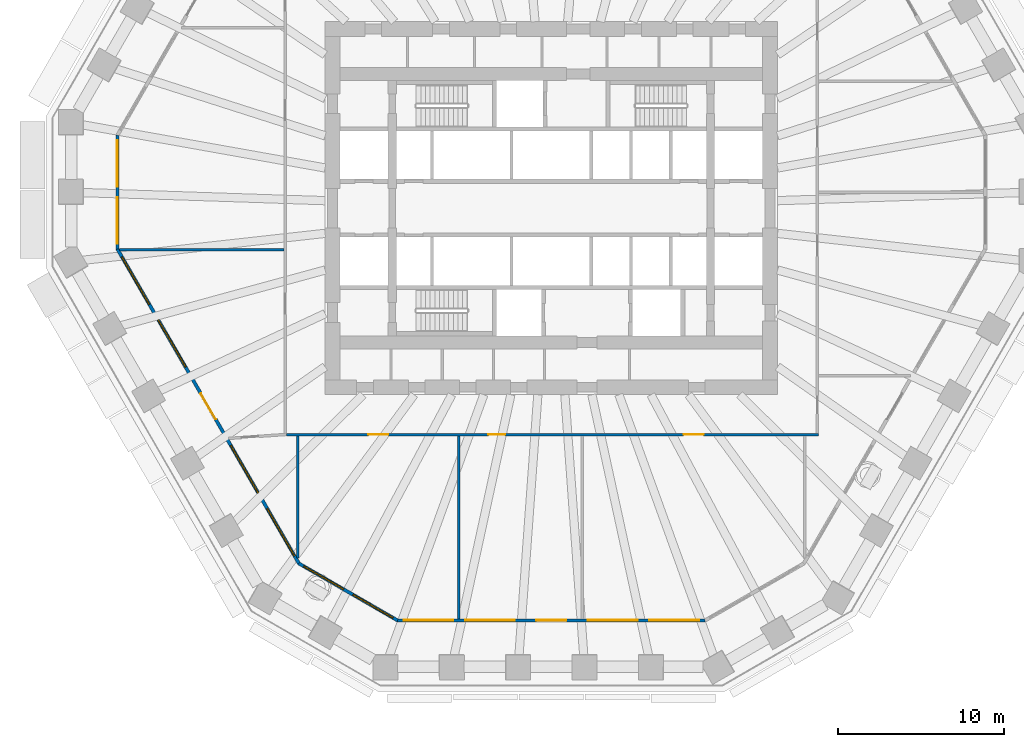
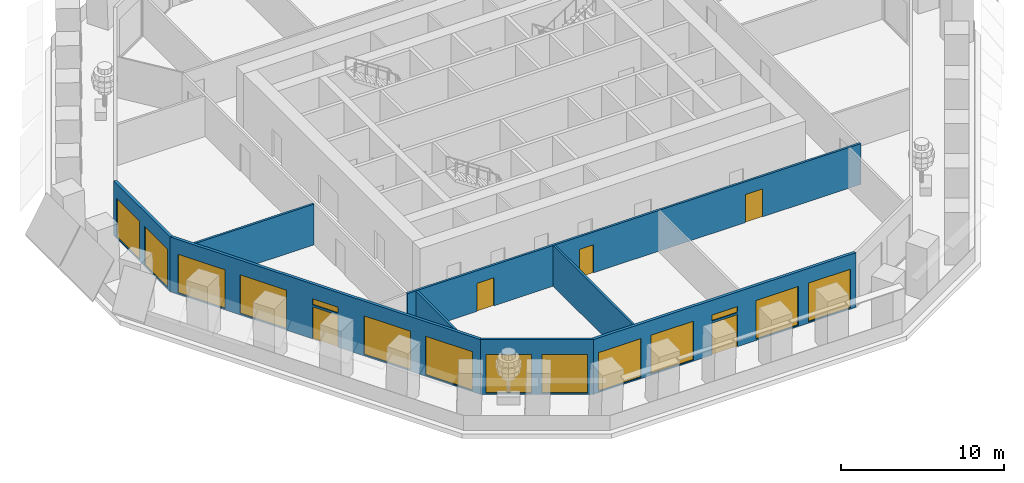
# One storey, part 3 of 12: 14 windows, 8 walls, 5 doors, 19 openings.
"""IFC4 building model written with IfcOpenShell, lengths in metres."""

import ifcopenshell
import ifcopenshell.guid

model = None  # the IFC model being written
_history = None  # IfcOwnerHistory: only IFC2X3 demands one
_inside = {}  # id of a spatial element -> (the spatial element, [elements in it])
_under = {}  # id of a project, library or spatial element -> (it, [spatial elements below it])
_declared = {}  # id of a project -> (the project, [libraries it declares])
_typed = {}  # id of a type object -> (the type object, [elements of that type])
_made_of = {}  # id of a material, layer set ... -> (it, [elements and type objects made of it])


def new_model(schema):
    """Start an empty IFC model of exactly this schema.

    Asked for "IFC4X3", IfcOpenShell would pick the latest addendum, in which some entities
    have other attributes; the version numbers below select the first issue.
    IFC2X3 requires an IfcOwnerHistory on every rooted entity: one is made here for all.
    """
    global model, _history
    if schema == "IFC4X3":
        model = ifcopenshell.file(schema_version=(4, 3, 0, 0))
    else:
        model = ifcopenshell.file(schema=schema)
    _inside.clear()
    _under.clear()
    _declared.clear()
    _typed.clear()
    _made_of.clear()
    _history = None
    if model.schema == "IFC2X3":
        org = make("IfcOrganization", Name="unknown")
        user = make(
            "IfcPersonAndOrganization",
            ThePerson=make("IfcPerson", FamilyName="unknown"),
            TheOrganization=org,
        )
        app = make(
            "IfcApplication",
            ApplicationDeveloper=org,
            Version="unknown",
            ApplicationFullName="unknown",
            ApplicationIdentifier="unknown",
        )
        _history = make(
            "IfcOwnerHistory",
            OwningUser=user,
            OwningApplication=app,
            ChangeAction="ADDED",
            CreationDate=0,
        )
    return model


def make(cls, **values):
    """One entity of the class cls with the attributes given. An attribute that is None is left unset."""
    return model.create_entity(
        cls, **{name: value for name, value in values.items() if value is not None}
    )


def rooted(cls, **values):
    """An entity with a GlobalId (a new one), such as an element, a storey or a relation."""
    return make(cls, GlobalId=ifcopenshell.guid.new(), OwnerHistory=_history, **values)


def si_unit(unit_type, name, prefix=None):
    """IfcSIUnit, for example si_unit("LENGTHUNIT", "METRE", prefix="MILLI")."""
    return make("IfcSIUnit", UnitType=unit_type, Prefix=prefix, Name=name)


def assignment(units):
    """IfcUnitAssignment: the units of a project."""
    return None if units is None else make("IfcUnitAssignment", Units=units)


def point(xyz):
    """IfcCartesianPoint."""
    return None if xyz is None else make("IfcCartesianPoint", Coordinates=xyz)


def direction(xyz):
    """IfcDirection."""
    return None if xyz is None else make("IfcDirection", DirectionRatios=xyz)


def frame(location, z_axis=None, x_axis=None):
    """IfcAxis2Placement3D, a coordinate frame: its origin and axes. An axis left out is left unset."""
    return make(
        "IfcAxis2Placement3D",
        Location=point(location),
        Axis=direction(z_axis),
        RefDirection=direction(x_axis),
    )


def frame_2d(location, x_axis=None):
    """IfcAxis2Placement2D, a coordinate frame in the plane: its origin and x axis."""
    return make(
        "IfcAxis2Placement2D", Location=point(location), RefDirection=direction(x_axis)
    )


def origin():
    """The frame at (0, 0, 0) with its axes left unset."""
    return frame((0.0, 0.0, 0.0))


def place(relative_to, where):
    """IfcLocalPlacement: puts the frame where relative to a parent placement (None: the world)."""
    return make(
        "IfcLocalPlacement", PlacementRelTo=relative_to, RelativePlacement=where
    )


def context(
    kind, dimensions, precision=None, world=None, true_north=None, identifier=None
):
    """IfcGeometricRepresentationContext, for example the 3D "Model" context."""
    return make(
        "IfcGeometricRepresentationContext",
        ContextIdentifier=identifier,
        ContextType=kind,
        CoordinateSpaceDimension=dimensions,
        Precision=precision,
        WorldCoordinateSystem=world,
        TrueNorth=true_north,
    )


def subcontext(parent, identifier, kind, view, scale=None):
    """IfcGeometricRepresentationSubContext, for example "Body" below "Model"."""
    return make(
        "IfcGeometricRepresentationSubContext",
        ContextIdentifier=identifier,
        ContextType=kind,
        ParentContext=parent,
        TargetScale=scale,
        TargetView=view,
    )


def project(units=None, contexts=None):
    """IfcProject with its units and contexts."""
    return rooted(
        "IfcProject",
        Name="project",
        RepresentationContexts=contexts,
        UnitsInContext=assignment(units),
    )


def spatial(cls, under=None, at=None, **own):
    """A site, building, storey or space (cls), placed at a placement, below another one or the project."""
    s = rooted(cls, ObjectPlacement=at, **own)
    if under is not None:
        _under.setdefault(under.id(), (under, []))[1].append(s)
    return s


def polyline(points):
    """IfcPolyline through the points."""
    return make("IfcPolyline", Points=[point(p) for p in points])


def profile(cls, at=None, kind="AREA", **sizes):
    """A parametric profile (cls). Its sizes go by their IFC names, for example OverallWidth=200.0."""
    return make(cls, ProfileType=kind, Position=at, **sizes)


def rectangle(**sizes):
    """IfcRectangleProfileDef."""
    return profile("IfcRectangleProfileDef", **sizes)


def outline(outer, holes=None, kind="AREA"):
    """IfcArbitraryClosedProfileDef: a profile drawn as a closed curve; with holes, ...WithVoids."""
    if holes is None:
        return make("IfcArbitraryClosedProfileDef", ProfileType=kind, OuterCurve=outer)
    return make(
        "IfcArbitraryProfileDefWithVoids",
        ProfileType=kind,
        OuterCurve=outer,
        InnerCurves=holes,
    )


def extrude(swept, where, along, depth):
    """IfcExtrudedAreaSolid: the profile swept, set in the frame where, extruded along a direction by depth."""
    return make(
        "IfcExtrudedAreaSolid",
        SweptArea=swept,
        Position=where,
        ExtrudedDirection=direction(along),
        Depth=depth,
    )


def shape(context_of_items, identifier, shape_type, items):
    """IfcShapeRepresentation: the items that make up one representation, for example the "Body"."""
    return make(
        "IfcShapeRepresentation",
        ContextOfItems=context_of_items,
        RepresentationIdentifier=identifier,
        RepresentationType=shape_type,
        Items=items,
    )


def material(Name=None, Category=None):
    """IfcMaterial."""
    return make("IfcMaterial", Name=Name, Category=Category)


def layer(
    of_material, thickness, ventilated=None, Name=None, Category=None, Priority=None
):
    """IfcMaterialLayer: one layer of a wall or slab, of a material (None: an air gap)."""
    return make(
        "IfcMaterialLayer",
        Material=of_material,
        LayerThickness=thickness,
        IsVentilated=ventilated,
        Name=Name,
        Category=Category,
        Priority=Priority,
    )


def layer_set(layers, Name=None):
    """IfcMaterialLayerSet."""
    return make("IfcMaterialLayerSet", MaterialLayers=layers, LayerSetName=Name)


def made_of(thing, what):
    """Note that an element or type object is made of a material, layer set ...; save() writes the relation."""
    if what is not None:
        _made_of.setdefault(what.id(), (what, []))[1].append(thing)
    return thing


def type_object(cls, material=None, **own):
    """A type object (cls), such as IfcWallType, which elements share."""
    return made_of(rooted(cls, **own), material)


def element(
    cls,
    number,
    at=None,
    inside=None,
    cuts=None,
    type_object=None,
    material=None,
    context=None,
    identifier="Body",
    shape_type=None,
    held_by="IfcProductDefinitionShape",
    body=None,
    shapes=None,
    **own,
):
    """One element of the class cls, such as IfcWall. Its Tag is "e" and its number.

    at: its placement. inside: the storey or other place that contains it. cuts: it is an
    opening in that element (IfcRelVoidsElement). A single representation is given by context,
    identifier, shape_type and body (its items); several are given by shapes. held_by: the class
    of the entity that holds the representations. save() writes the other relations.
    """
    e = rooted(cls, Tag="e%d" % number, ObjectPlacement=at, **own)
    if body is not None:
        shapes = [shape(context, identifier, shape_type, body)]
    if shapes is not None:
        e.Representation = make(held_by, Representations=shapes)
    if inside is not None:
        _inside.setdefault(inside.id(), (inside, []))[1].append(e)
    if cuts is not None:
        rooted(
            "IfcRelVoidsElement", RelatingBuildingElement=cuts, RelatedOpeningElement=e
        )
    if type_object is not None:
        _typed.setdefault(type_object.id(), (type_object, []))[1].append(e)
    return made_of(e, material)


def fill(opening, filler):
    """IfcRelFillsElement: the door or window that sits in an opening."""
    return rooted(
        "IfcRelFillsElement",
        RelatingOpeningElement=opening,
        RelatedBuildingElement=filler,
    )


def aggregate(whole, parts):
    """IfcRelAggregates: a whole, such as a stair, and the parts it consists of."""
    return rooted("IfcRelAggregates", RelatingObject=whole, RelatedObjects=parts)


def save(model, path):
    """Write the relations noted so far, then the file.

    IfcRelAggregates (storeys below a building ...), IfcRelContainedInSpatialStructure (elements
    in a storey), IfcRelDefinesByType, IfcRelAssociatesMaterial and IfcRelDeclares: one each for
    every whole, place, type object, material and project.
    """
    for whole, parts in _under.values():
        aggregate(whole, parts)
    for where, things in _inside.values():
        rooted(
            "IfcRelContainedInSpatialStructure",
            RelatedElements=things,
            RelatingStructure=where,
        )
    for kind, things in _typed.values():
        rooted("IfcRelDefinesByType", RelatedObjects=things, RelatingType=kind)
    for what, things in _made_of.values():
        rooted("IfcRelAssociatesMaterial", RelatedObjects=things, RelatingMaterial=what)
    for by, libraries in _declared.values():
        rooted("IfcRelDeclares", RelatingContext=by, RelatedDefinitions=libraries)
    model.write(path)


model = new_model("IFC4")

# Units and contexts
model_context = context("Model", 3, precision=1e-05, world=origin(), true_north=direction((0.0, 1.0)))
body_context = subcontext(model_context, "Body", "Model", "MODEL_VIEW")
ifc_project = project(units=[si_unit("LENGTHUNIT", "METRE"), si_unit("AREAUNIT", "SQUARE_METRE"), si_unit("VOLUMEUNIT", "CUBIC_METRE"), si_unit("PLANEANGLEUNIT", "RADIAN"), si_unit("MASSUNIT", "GRAM", prefix="KILO")], contexts=[model_context])

# Site, building, storey
site_placement = place(None, origin())
site = spatial("IfcSite", under=ifc_project, at=site_placement, CompositionType="ELEMENT")
building_placement = place(site_placement, origin())
building = spatial("IfcBuilding", under=site, at=building_placement, Name="Frailejon Research Tower", CompositionType="ELEMENT")
storey_placement = place(building_placement, frame((0.0, 0.0, 45.39990234375)))
storey = spatial("IfcBuildingStorey", under=building, at=storey_placement, Name="L10", CompositionType="ELEMENT", Elevation=45.39990234375)

# Wall, openings, doors
ifc_material_1 = material(Name="Gypsum board and masonry partition", Category="masonry")
ifc_layer_1 = layer(ifc_material_1, 0.14990234375)
ifc_layer_set_1 = layer_set([ifc_layer_1], Name="Corridor wall EI 60, gypsum on steel studs 150")
wall_type_1 = type_object("IfcWallType", Name="Corridor wall EI 60, gypsum on steel studs 150", PredefinedType="PARTITIONING", material=ifc_layer_set_1)
wall_1_placement = place(storey_placement, frame((-15.97509765625, -13.64990234375, 0.0), z_axis=(0.0, 0.0, 1.0), x_axis=(1.0, 0.0, 0.0)))
wall_1 = element("IfcWall", 1, at=wall_1_placement, inside=storey, type_object=wall_type_1, Name="T:IW:L10:004", PredefinedType="PARTITIONING", context=body_context, shape_type="SweptSolid", body=[
    extrude(rectangle(XDim=32.10009765625, YDim=0.14990234375, at=frame_2d((16.050048828125, 0.0))), origin(), (0.0, 0.0, 1.0), 3.050048828125),
])
opening_1_placement = place(wall_1_placement, frame((4.93701171875, 0.0, 0.0)))
opening_1 = element("IfcOpeningElement", 2, at=opening_1_placement, cuts=wall_1, Name="Opening D1398", PredefinedType="OPENING", context=body_context, shape_type="SweptSolid", body=[
    extrude(rectangle(XDim=1.199951171875, YDim=2.10009765625, at=frame_2d((0.60009765625, 1.050048828125))), frame((0.0, 0.0849609375, 0.0), z_axis=(0.0, -1.0, 0.0), x_axis=(1.0, 0.0, 0.0)), (0.0, 0.0, 1.0), 0.169921875),
])
opening_2_placement = place(wall_1_placement, frame((12.180908203125, 0.0, 0.0)))
opening_2 = element("IfcOpeningElement", 3, at=opening_2_placement, cuts=wall_1, Name="Opening D1399", PredefinedType="OPENING", context=body_context, shape_type="SweptSolid", body=[
    extrude(rectangle(XDim=1.0, YDim=2.10009765625, at=frame_2d((0.5, 1.050048828125))), frame((0.0, 0.0849609375, 0.0), z_axis=(0.0, -1.0, 0.0), x_axis=(1.0, 0.0, 0.0)), (0.0, 0.0, 1.0), 0.169921875),
])
opening_3_placement = place(wall_1_placement, frame((23.95361328125, 0.0, 0.0)))
opening_3 = element("IfcOpeningElement", 4, at=opening_3_placement, cuts=wall_1, Name="Opening D1400", PredefinedType="OPENING", context=body_context, shape_type="SweptSolid", body=[
    extrude(rectangle(XDim=1.199951171875, YDim=2.10009765625, at=frame_2d((0.60009765625, 1.050048828125))), frame((0.0, 0.0849609375, 0.0), z_axis=(0.0, -1.0, 0.0), x_axis=(1.0, 0.0, 0.0)), (0.0, 0.0, 1.0), 0.169921875),
])
ifc_material_2 = material(Name="Timber door leaf", Category="wood")
door_type_1 = type_object("IfcDoorType", Name="Door laboratory, timber, vision panel 1200", OperationType="NOTDEFINED", PredefinedType="DOOR", material=ifc_material_2)
door_1_placement = place(opening_1_placement, origin())
door_1 = element("IfcDoor", 5, at=door_1_placement, inside=storey, type_object=door_type_1, Name="D1398", OperationType="DOUBLE_DOOR_SINGLE_SWING", OverallHeight=2.10009765625, OverallWidth=1.199951171875, PredefinedType="DOOR", context=body_context, shape_type="SweptSolid", body=[
    extrude(rectangle(XDim=1.199951171875, YDim=2.10009765625, at=frame_2d((0.60009765625, 1.050048828125))), frame((0.0, 0.02490234375, 0.0), z_axis=(0.0, -1.0, 0.0), x_axis=(1.0, 0.0, 0.0)), (0.0, 0.0, 1.0), 0.050048828125),
])
fill(opening_1, door_1)
door_2_placement = place(opening_3_placement, origin())
door_2 = element("IfcDoor", 6, at=door_2_placement, inside=storey, type_object=door_type_1, Name="D1400", OperationType="DOUBLE_DOOR_SINGLE_SWING", OverallHeight=2.10009765625, OverallWidth=1.199951171875, PredefinedType="DOOR", context=body_context, shape_type="SweptSolid", body=[
    extrude(rectangle(XDim=1.199951171875, YDim=2.10009765625, at=frame_2d((0.60009765625, 1.050048828125))), frame((0.0, 0.02490234375, 0.0), z_axis=(0.0, -1.0, 0.0), x_axis=(1.0, 0.0, 0.0)), (0.0, 0.0, 1.0), 0.050048828125),
])
fill(opening_3, door_2)
ifc_material_3 = material(Name="Timber door leaf", Category="wood")
door_type_2 = type_object("IfcDoorType", Name="Door single leaf, timber, steel frame 1000", OperationType="NOTDEFINED", PredefinedType="DOOR", material=ifc_material_3)
door_3_placement = place(opening_2_placement, origin())
door_3 = element("IfcDoor", 7, at=door_3_placement, inside=storey, type_object=door_type_2, Name="D1399", OperationType="SINGLE_SWING_RIGHT", OverallHeight=2.10009765625, OverallWidth=1.0, PredefinedType="DOOR", context=body_context, shape_type="SweptSolid", body=[
    extrude(rectangle(XDim=1.0, YDim=2.10009765625, at=frame_2d((0.5, 1.050048828125))), frame((0.0, 0.02490234375, 0.0), z_axis=(0.0, -1.0, 0.0), x_axis=(1.0, 0.0, 0.0)), (0.0, 0.0, 1.0), 0.050048828125),
])
fill(opening_2, door_3)

# Walls
ifc_material_4 = material(Name="Gypsum board and masonry partition", Category="masonry")
ifc_layer_2 = layer(ifc_material_4, 0.14990234375)
ifc_layer_set_2 = layer_set([ifc_layer_2], Name="Laboratory partition, blockwork 150")
wall_type_2 = type_object("IfcWallType", Name="Laboratory partition, blockwork 150", PredefinedType="PARTITIONING", material=ifc_layer_set_2)
wall_2_placement = place(storey_placement, frame((-26.040771484375, -2.49609375, 0.0), z_axis=(0.0, 0.0, 1.0), x_axis=(1.0, 0.0, 0.0)))
element("IfcWall", 8, at=wall_2_placement, inside=storey, type_object=wall_type_2, Name="T:IW:L10:013", PredefinedType="PARTITIONING", context=body_context, shape_type="SweptSolid", body=[
    extrude(rectangle(XDim=9.915771484375, YDim=0.14990234375, at=frame_2d((4.9580078125, 0.0))), origin(), (0.0, 0.0, 1.0), 3.050048828125),
])
wall_3_placement = place(storey_placement, frame((-15.297607421875, -21.103759765625, 0.0), z_axis=(0.0, 0.0, 1.0), x_axis=(0.0, 1.0, 0.0)))
element("IfcWall", 9, at=wall_3_placement, inside=storey, type_object=wall_type_2, Name="T:IW:L10:015", PredefinedType="PARTITIONING", context=body_context, shape_type="SweptSolid", body=[
    extrude(rectangle(XDim=7.378662109375, YDim=0.14990234375, at=frame_2d((3.689453125, 0.0))), origin(), (0.0, 0.0, 1.0), 3.050048828125),
])
wall_4_placement = place(storey_placement, frame((-5.57861328125, -24.767822265625, 0.0), z_axis=(0.0, 0.0, 1.0), x_axis=(0.0, 1.0, 0.0)))
element("IfcWall", 10, at=wall_4_placement, inside=storey, type_object=wall_type_2, Name="T:IW:L10:016", PredefinedType="PARTITIONING", context=body_context, shape_type="SweptSolid", body=[
    extrude(rectangle(XDim=11.042724609375, YDim=0.14990234375, at=frame_2d((5.521484375, 0.0))), origin(), (0.0, 0.0, 1.0), 3.050048828125),
])

# Wall, openings, windows
ifc_material_5 = material(Name="Concrete C40/50 precast window wall panel", Category="concrete")
ifc_layer_3 = layer(ifc_material_5, 0.199951171875)
ifc_layer_set_3 = layer_set([ifc_layer_3], Name="Window wall 200")
wall_type_3 = type_object("IfcWallType", Name="Window wall 200", PredefinedType="SOLIDWALL", material=ifc_layer_set_3)
wall_5_placement = place(storey_placement, frame((-26.171630859375, 4.4052734375, 0.0), z_axis=(0.0, 0.0, 1.0), x_axis=(0.0, -1.0, 0.0)))
wall_5 = element("IfcWall", 11, at=wall_5_placement, inside=storey, type_object=wall_type_3, Name="Exterior wall L10", PredefinedType="SOLIDWALL", context=body_context, shape_type="SweptSolid", body=[
    extrude(outline(polyline([(-0.02685546875, -0.10009765625), (1.1279296875, -0.10009765625), (2.28271484375, -0.10009765625), (3.4375, -0.10009765625), (4.592041015625, -0.10009765625), (5.746826171875, -0.10009765625), (6.901611328125, -0.10009765625), (6.847900390625, 0.10009765625), (5.7109375, 0.10009765625), (4.57421875, 0.10009765625), (3.4375, 0.10009765625), (2.300537109375, 0.10009765625), (1.16357421875, 0.10009765625), (0.02685546875, 0.10009765625), (-0.02685546875, -0.10009765625)])), origin(), (0.0, 0.0, 1.0), 4.10009765625),
])
opening_4_placement = place(wall_5_placement, frame((0.318603515625, 0.0, 0.10009765625)))
opening_4 = element("IfcOpeningElement", 12, at=opening_4_placement, cuts=wall_5, Name="Opening W3", PredefinedType="OPENING", context=body_context, shape_type="SweptSolid", body=[
    extrude(rectangle(XDim=2.800048828125, YDim=2.89990234375, at=frame_2d((1.39990234375, 1.449951171875))), frame((0.0, 0.10986328125, 0.0), z_axis=(0.0, -1.0, 0.0), x_axis=(1.0, 0.0, 0.0)), (0.0, 0.0, 1.0), 0.219970703125),
])
opening_5_placement = place(wall_5_placement, frame((3.756103515625, 0.0, 0.10009765625)))
opening_5 = element("IfcOpeningElement", 13, at=opening_5_placement, cuts=wall_5, Name="Opening W3", PredefinedType="OPENING", context=body_context, shape_type="SweptSolid", body=[
    extrude(rectangle(XDim=2.800048828125, YDim=2.89990234375, at=frame_2d((1.39990234375, 1.449951171875))), frame((0.0, 0.10986328125, 0.0), z_axis=(0.0, -1.0, 0.0), x_axis=(1.0, 0.0, 0.0)), (0.0, 0.0, 1.0), 0.219970703125),
])
ifc_material_6 = material(Name="Aluminium framed double glazing", Category="aluminium")
window_type_1 = type_object("IfcWindowType", Name="Window 2800x2900", PartitioningType="SINGLE_PANEL", PredefinedType="WINDOW", material=ifc_material_6)
window_1_placement = place(opening_4_placement, origin())
window_1 = element("IfcWindow", 14, at=window_1_placement, inside=storey, type_object=window_type_1, Name="Window L10", OverallHeight=2.89990234375, OverallWidth=2.800048828125, PartitioningType="SINGLE_PANEL", PredefinedType="WINDOW", context=body_context, shape_type="SweptSolid", body=[
    extrude(rectangle(XDim=2.800048828125, YDim=2.89990234375, at=frame_2d((1.39990234375, 1.449951171875))), frame((0.0, 0.030029296875, 0.0), z_axis=(0.0, -1.0, 0.0), x_axis=(1.0, 0.0, 0.0)), (0.0, 0.0, 1.0), 0.06005859375),
])
fill(opening_4, window_1)
window_2_placement = place(opening_5_placement, origin())
window_2 = element("IfcWindow", 15, at=window_2_placement, inside=storey, type_object=window_type_1, Name="Window L10", OverallHeight=2.89990234375, OverallWidth=2.800048828125, PartitioningType="SINGLE_PANEL", PredefinedType="WINDOW", context=body_context, shape_type="SweptSolid", body=[
    extrude(rectangle(XDim=2.800048828125, YDim=2.89990234375, at=frame_2d((1.39990234375, 1.449951171875))), frame((0.0, 0.030029296875, 0.0), z_axis=(0.0, -1.0, 0.0), x_axis=(1.0, 0.0, 0.0)), (0.0, 0.0, 1.0), 0.06005859375),
])
fill(opening_5, window_2)

# Wall, openings, door, windows
wall_6_placement = place(storey_placement, frame((-26.171630859375, -2.469482421875, 0.0), z_axis=(0.0, 0.0, 1.0), x_axis=(0.500000763912, -0.866024962739, 0.0)))
wall_6 = element("IfcWall", 16, at=wall_6_placement, inside=storey, type_object=wall_type_3, Name="Exterior wall L10", PredefinedType="SOLIDWALL", context=body_context, shape_type="SweptSolid", body=[
    extrude(outline(polyline([(-0.02685546875, -0.10009765625), (1.018310546875, -0.10009765625), (2.0634765625, -0.10009765625), (3.108642578125, -0.10009765625), (4.15380859375, -0.10009765625), (5.198974609375, -0.10009765625), (6.244140625, -0.10009765625), (7.289306640625, -0.10009765625), (8.33447265625, -0.10009765625), (9.379638671875, -0.10009765625), (10.4248046875, -0.10009765625), (11.4697265625, -0.10009765625), (12.514892578125, -0.10009765625), (13.56005859375, -0.10009765625), (14.605224609375, -0.10009765625), (15.650390625, -0.10009765625), (16.695556640625, -0.10009765625), (17.74072265625, -0.10009765625), (18.785888671875, -0.10009765625), (19.8310546875, -0.10009765625), (20.876220703125, -0.10009765625), (21.92138671875, -0.10009765625), (21.86767578125, 0.10009765625), (20.82763671875, 0.10009765625), (19.78759765625, 0.10009765625), (18.74755859375, 0.10009765625), (17.70751953125, 0.10009765625), (16.66748046875, 0.10009765625), (15.62744140625, 0.10009765625), (14.58740234375, 0.10009765625), (13.54736328125, 0.10009765625), (12.50732421875, 0.10009765625), (11.46728515625, 0.10009765625), (10.42724609375, 0.10009765625), (9.38720703125, 0.10009765625), (8.34716796875, 0.10009765625), (7.30712890625, 0.10009765625), (6.26708984375, 0.10009765625), (5.22705078125, 0.10009765625), (4.18701171875, 0.10009765625), (3.14697265625, 0.10009765625), (2.10693359375, 0.10009765625), (1.06689453125, 0.10009765625), (0.02685546875, 0.10009765625), (-0.02685546875, -0.10009765625)])), origin(), (0.0, 0.0, 1.0), 4.10009765625),
])
opening_6_placement = place(wall_6_placement, frame((0.53955078125, 0.0, 0.10009765625)))
opening_6 = element("IfcOpeningElement", 17, at=opening_6_placement, cuts=wall_6, Name="Opening W5", PredefinedType="OPENING", context=body_context, shape_type="SweptSolid", body=[
    extrude(rectangle(XDim=3.300048828125, YDim=2.89990234375, at=frame_2d((1.64990234375, 1.449951171875))), frame((0.0, 0.10986328125, 0.0), z_axis=(0.0, -1.0, 0.0), x_axis=(1.0, 0.0, 0.0)), (0.0, 0.0, 1.0), 0.219970703125),
])
opening_7_placement = place(wall_6_placement, frame((4.91845703125, 0.0, 0.10009765625)))
opening_7 = element("IfcOpeningElement", 18, at=opening_7_placement, cuts=wall_6, Name="Opening W5", PredefinedType="OPENING", context=body_context, shape_type="SweptSolid", body=[
    extrude(rectangle(XDim=3.300048828125, YDim=2.89990234375, at=frame_2d((1.64990234375, 1.449951171875))), frame((0.0, 0.10986328125, 0.0), z_axis=(0.0, -1.0, 0.0), x_axis=(1.0, 0.0, 0.0)), (0.0, 0.0, 1.0), 0.219970703125),
])
opening_8_placement = place(wall_6_placement, frame((10.04736328125, 0.0, 0.0)))
opening_8 = element("IfcOpeningElement", 19, at=opening_8_placement, cuts=wall_6, Name="Opening LG10-4", PredefinedType="OPENING", context=body_context, shape_type="SweptSolid", body=[
    extrude(rectangle(XDim=1.800048828125, YDim=2.39990234375, at=frame_2d((0.89990234375, 1.199951171875))), frame((0.0, 0.10986328125, 0.0), z_axis=(0.0, -1.0, 0.0), x_axis=(1.0, 0.0, 0.0)), (0.0, 0.0, 1.0), 0.219970703125),
])
opening_9_placement = place(wall_6_placement, frame((10.04736328125, 0.0, 2.550048828125)))
opening_9 = element("IfcOpeningElement", 20, at=opening_9_placement, cuts=wall_6, Name="Opening W1", PredefinedType="OPENING", context=body_context, shape_type="SweptSolid", body=[
    extrude(rectangle(XDim=1.800048828125, YDim=0.449951171875, at=frame_2d((0.89990234375, 0.22509765625))), frame((0.0, 0.10986328125, 0.0), z_axis=(0.0, -1.0, 0.0), x_axis=(1.0, 0.0, 0.0)), (0.0, 0.0, 1.0), 0.219970703125),
])
opening_10_placement = place(wall_6_placement, frame((13.67626953125, 0.0, 0.10009765625)))
opening_10 = element("IfcOpeningElement", 21, at=opening_10_placement, cuts=wall_6, Name="Opening W5", PredefinedType="OPENING", context=body_context, shape_type="SweptSolid", body=[
    extrude(rectangle(XDim=3.300048828125, YDim=2.89990234375, at=frame_2d((1.64990234375, 1.449951171875))), frame((0.0, 0.10986328125, 0.0), z_axis=(0.0, -1.0, 0.0), x_axis=(1.0, 0.0, 0.0)), (0.0, 0.0, 1.0), 0.219970703125),
])
opening_11_placement = place(wall_6_placement, frame((18.05517578125, 0.0, 0.10009765625)))
opening_11 = element("IfcOpeningElement", 22, at=opening_11_placement, cuts=wall_6, Name="Opening W5", PredefinedType="OPENING", context=body_context, shape_type="SweptSolid", body=[
    extrude(rectangle(XDim=3.300048828125, YDim=2.89990234375, at=frame_2d((1.64990234375, 1.449951171875))), frame((0.0, 0.10986328125, 0.0), z_axis=(0.0, -1.0, 0.0), x_axis=(1.0, 0.0, 0.0)), (0.0, 0.0, 1.0), 0.219970703125),
])
ifc_material_7 = material(Name="Aluminium framed glazed door leaf", Category="aluminium")
door_type_3 = type_object("IfcDoorType", Name="Loggia door 1800x2400", OperationType="DOUBLE_DOOR_SINGLE_SWING", PredefinedType="DOOR", material=ifc_material_7)
door_4_placement = place(opening_8_placement, origin())
door_4 = element("IfcDoor", 23, at=door_4_placement, inside=storey, type_object=door_type_3, Name="Door LG10-4", OperationType="DOUBLE_DOOR_SINGLE_SWING", OverallHeight=2.39990234375, OverallWidth=1.800048828125, PredefinedType="DOOR", context=body_context, shape_type="SweptSolid", body=[
    extrude(rectangle(XDim=1.800048828125, YDim=2.39990234375, at=frame_2d((0.89990234375, 1.199951171875))), frame((0.0, 0.02490234375, 0.0), z_axis=(0.0, -1.0, 0.0), x_axis=(1.0, 0.0, 0.0)), (0.0, 0.0, 1.0), 0.050048828125),
])
fill(opening_8, door_4)
ifc_material_8 = material(Name="Aluminium framed double glazing", Category="aluminium")
window_type_2 = type_object("IfcWindowType", Name="Window 1800x450", PartitioningType="SINGLE_PANEL", PredefinedType="WINDOW", material=ifc_material_8)
window_3_placement = place(opening_9_placement, origin())
window_3 = element("IfcWindow", 24, at=window_3_placement, inside=storey, type_object=window_type_2, Name="Window L10", OverallHeight=0.449951171875, OverallWidth=1.800048828125, PartitioningType="SINGLE_PANEL", PredefinedType="WINDOW", context=body_context, shape_type="SweptSolid", body=[
    extrude(rectangle(XDim=1.800048828125, YDim=0.449951171875, at=frame_2d((0.89990234375, 0.22509765625))), frame((0.0, 0.030029296875, 0.0), z_axis=(0.0, -1.0, 0.0), x_axis=(1.0, 0.0, 0.0)), (0.0, 0.0, 1.0), 0.06005859375),
])
fill(opening_9, window_3)
ifc_material_9 = material(Name="Aluminium framed double glazing", Category="aluminium")
window_type_3 = type_object("IfcWindowType", Name="Window 3300x2900", PartitioningType="SINGLE_PANEL", PredefinedType="WINDOW", material=ifc_material_9)
window_4_placement = place(opening_6_placement, origin())
window_4 = element("IfcWindow", 25, at=window_4_placement, inside=storey, type_object=window_type_3, Name="Window L10", OverallHeight=2.89990234375, OverallWidth=3.300048828125, PartitioningType="SINGLE_PANEL", PredefinedType="WINDOW", context=body_context, shape_type="SweptSolid", body=[
    extrude(rectangle(XDim=3.300048828125, YDim=2.89990234375, at=frame_2d((1.64990234375, 1.449951171875))), frame((0.0, 0.030029296875, 0.0), z_axis=(0.0, -1.0, 0.0), x_axis=(1.0, 0.0, 0.0)), (0.0, 0.0, 1.0), 0.06005859375),
])
fill(opening_6, window_4)
window_5_placement = place(opening_7_placement, origin())
window_5 = element("IfcWindow", 26, at=window_5_placement, inside=storey, type_object=window_type_3, Name="Window L10", OverallHeight=2.89990234375, OverallWidth=3.300048828125, PartitioningType="SINGLE_PANEL", PredefinedType="WINDOW", context=body_context, shape_type="SweptSolid", body=[
    extrude(rectangle(XDim=3.300048828125, YDim=2.89990234375, at=frame_2d((1.64990234375, 1.449951171875))), frame((0.0, 0.030029296875, 0.0), z_axis=(0.0, -1.0, 0.0), x_axis=(1.0, 0.0, 0.0)), (0.0, 0.0, 1.0), 0.06005859375),
])
fill(opening_7, window_5)
window_6_placement = place(opening_10_placement, origin())
window_6 = element("IfcWindow", 27, at=window_6_placement, inside=storey, type_object=window_type_3, Name="Window L10", OverallHeight=2.89990234375, OverallWidth=3.300048828125, PartitioningType="SINGLE_PANEL", PredefinedType="WINDOW", context=body_context, shape_type="SweptSolid", body=[
    extrude(rectangle(XDim=3.300048828125, YDim=2.89990234375, at=frame_2d((1.64990234375, 1.449951171875))), frame((0.0, 0.030029296875, 0.0), z_axis=(0.0, -1.0, 0.0), x_axis=(1.0, 0.0, 0.0)), (0.0, 0.0, 1.0), 0.06005859375),
])
fill(opening_10, window_6)
window_7_placement = place(opening_11_placement, origin())
window_7 = element("IfcWindow", 28, at=window_7_placement, inside=storey, type_object=window_type_3, Name="Window L10", OverallHeight=2.89990234375, OverallWidth=3.300048828125, PartitioningType="SINGLE_PANEL", PredefinedType="WINDOW", context=body_context, shape_type="SweptSolid", body=[
    extrude(rectangle(XDim=3.300048828125, YDim=2.89990234375, at=frame_2d((1.64990234375, 1.449951171875))), frame((0.0, 0.030029296875, 0.0), z_axis=(0.0, -1.0, 0.0), x_axis=(1.0, 0.0, 0.0)), (0.0, 0.0, 1.0), 0.06005859375),
])
fill(opening_11, window_7)

# Wall, openings, windows
wall_7_placement = place(storey_placement, frame((-15.224365234375, -21.4306640625, 0.0), z_axis=(0.0, 0.0, 1.0), x_axis=(0.866029458321, -0.49999297727, 0.0)))
wall_7 = element("IfcWall", 29, at=wall_7_placement, inside=storey, type_object=wall_type_3, Name="Exterior wall L10", PredefinedType="SOLIDWALL", context=body_context, shape_type="SweptSolid", body=[
    extrude(outline(polyline([(-0.02685546875, -0.10009765625), (1.1279296875, -0.10009765625), (2.282470703125, -0.10009765625), (3.437255859375, -0.10009765625), (4.592041015625, -0.10009765625), (5.74658203125, -0.10009765625), (6.9013671875, -0.10009765625), (6.84765625, 0.10009765625), (5.7109375, 0.10009765625), (4.573974609375, 0.10009765625), (3.437255859375, 0.10009765625), (2.300537109375, 0.10009765625), (1.16357421875, 0.10009765625), (0.02685546875, 0.10009765625), (-0.02685546875, -0.10009765625)])), origin(), (0.0, 0.0, 1.0), 4.10009765625),
])
opening_12_placement = place(wall_7_placement, frame((0.318603515625, 0.0, 0.10009765625)))
opening_12 = element("IfcOpeningElement", 30, at=opening_12_placement, cuts=wall_7, Name="Opening W3", PredefinedType="OPENING", context=body_context, shape_type="SweptSolid", body=[
    extrude(rectangle(XDim=2.800048828125, YDim=2.89990234375, at=frame_2d((1.39990234375, 1.449951171875))), frame((0.0, 0.10986328125, 0.0), z_axis=(0.0, -1.0, 0.0), x_axis=(1.0, 0.0, 0.0)), (0.0, 0.0, 1.0), 0.219970703125),
])
opening_13_placement = place(wall_7_placement, frame((3.756103515625, 0.0, 0.10009765625)))
opening_13 = element("IfcOpeningElement", 31, at=opening_13_placement, cuts=wall_7, Name="Opening W3", PredefinedType="OPENING", context=body_context, shape_type="SweptSolid", body=[
    extrude(rectangle(XDim=2.800048828125, YDim=2.89990234375, at=frame_2d((1.39990234375, 1.449951171875))), frame((0.0, 0.10986328125, 0.0), z_axis=(0.0, -1.0, 0.0), x_axis=(1.0, 0.0, 0.0)), (0.0, 0.0, 1.0), 0.219970703125),
])
window_8_placement = place(opening_12_placement, origin())
window_8 = element("IfcWindow", 32, at=window_8_placement, inside=storey, type_object=window_type_1, Name="Window L10", OverallHeight=2.89990234375, OverallWidth=2.800048828125, PartitioningType="SINGLE_PANEL", PredefinedType="WINDOW", context=body_context, shape_type="SweptSolid", body=[
    extrude(rectangle(XDim=2.800048828125, YDim=2.89990234375, at=frame_2d((1.39990234375, 1.449951171875))), frame((0.0, 0.030029296875, 0.0), z_axis=(0.0, -1.0, 0.0), x_axis=(1.0, 0.0, 0.0)), (0.0, 0.0, 1.0), 0.06005859375),
])
fill(opening_12, window_8)
window_9_placement = place(opening_13_placement, origin())
window_9 = element("IfcWindow", 33, at=window_9_placement, inside=storey, type_object=window_type_1, Name="Window L10", OverallHeight=2.89990234375, OverallWidth=2.800048828125, PartitioningType="SINGLE_PANEL", PredefinedType="WINDOW", context=body_context, shape_type="SweptSolid", body=[
    extrude(rectangle(XDim=2.800048828125, YDim=2.89990234375, at=frame_2d((1.39990234375, 1.449951171875))), frame((0.0, 0.030029296875, 0.0), z_axis=(0.0, -1.0, 0.0), x_axis=(1.0, 0.0, 0.0)), (0.0, 0.0, 1.0), 0.06005859375),
])
fill(opening_13, window_9)

# Wall, openings, door, windows
wall_8_placement = place(storey_placement, frame((-9.270751953125, -24.867919921875, 0.0), z_axis=(0.0, 0.0, 1.0), x_axis=(1.0, 0.0, 0.0)))
wall_8 = element("IfcWall", 34, at=wall_8_placement, inside=storey, type_object=wall_type_3, Name="Exterior wall L10", PredefinedType="SOLIDWALL", context=body_context, shape_type="SweptSolid", body=[
    extrude(outline(polyline([(-0.02685546875, -0.10009765625), (1.006103515625, -0.10009765625), (2.039306640625, -0.10009765625), (3.072265625, -0.10009765625), (4.10546875, -0.10009765625), (5.138427734375, -0.10009765625), (6.171630859375, -0.10009765625), (7.20458984375, -0.10009765625), (8.23779296875, -0.10009765625), (9.270751953125, -0.10009765625), (10.3037109375, -0.10009765625), (11.3369140625, -0.10009765625), (12.369873046875, -0.10009765625), (13.403076171875, -0.10009765625), (14.43603515625, -0.10009765625), (15.46923828125, -0.10009765625), (16.502197265625, -0.10009765625), (17.535400390625, -0.10009765625), (18.568359375, -0.10009765625), (18.5146484375, 0.10009765625), (17.487548828125, 0.10009765625), (16.46044921875, 0.10009765625), (15.433349609375, 0.10009765625), (14.40625, 0.10009765625), (13.379150390625, 0.10009765625), (12.35205078125, 0.10009765625), (11.324951171875, 0.10009765625), (10.2978515625, 0.10009765625), (9.270751953125, 0.10009765625), (8.24365234375, 0.10009765625), (7.216552734375, 0.10009765625), (6.189453125, 0.10009765625), (5.162353515625, 0.10009765625), (4.13525390625, 0.10009765625), (3.108154296875, 0.10009765625), (2.0810546875, 0.10009765625), (1.053955078125, 0.10009765625), (0.02685546875, 0.10009765625), (-0.02685546875, -0.10009765625)])), origin(), (0.0, 0.0, 1.0), 4.10009765625),
])
opening_14_placement = place(wall_8_placement, frame((0.354248046875, 0.0, 0.10009765625)))
opening_14 = element("IfcOpeningElement", 35, at=opening_14_placement, cuts=wall_8, Name="Opening W4", PredefinedType="OPENING", context=body_context, shape_type="SweptSolid", body=[
    extrude(rectangle(XDim=3.0, YDim=2.89990234375, at=frame_2d((1.5, 1.449951171875))), frame((0.0, 0.10986328125, 0.0), z_axis=(0.0, -1.0, 0.0), x_axis=(1.0, 0.0, 0.0)), (0.0, 0.0, 1.0), 0.219970703125),
])
opening_15_placement = place(wall_8_placement, frame((4.0625, 0.0, 0.10009765625)))
opening_15 = element("IfcOpeningElement", 36, at=opening_15_placement, cuts=wall_8, Name="Opening W4", PredefinedType="OPENING", context=body_context, shape_type="SweptSolid", body=[
    extrude(rectangle(XDim=3.0, YDim=2.89990234375, at=frame_2d((1.5, 1.449951171875))), frame((0.0, 0.10986328125, 0.0), z_axis=(0.0, -1.0, 0.0), x_axis=(1.0, 0.0, 0.0)), (0.0, 0.0, 1.0), 0.219970703125),
])
opening_16_placement = place(wall_8_placement, frame((8.370849609375, 0.0, 0.0)))
opening_16 = element("IfcOpeningElement", 37, at=opening_16_placement, cuts=wall_8, Name="Opening LG10-5", PredefinedType="OPENING", context=body_context, shape_type="SweptSolid", body=[
    extrude(rectangle(XDim=1.800048828125, YDim=2.39990234375, at=frame_2d((0.89990234375, 1.199951171875))), frame((0.0, 0.10986328125, 0.0), z_axis=(0.0, -1.0, 0.0), x_axis=(1.0, 0.0, 0.0)), (0.0, 0.0, 1.0), 0.219970703125),
])
opening_17_placement = place(wall_8_placement, frame((8.370849609375, 0.0, 2.550048828125)))
opening_17 = element("IfcOpeningElement", 38, at=opening_17_placement, cuts=wall_8, Name="Opening W1", PredefinedType="OPENING", context=body_context, shape_type="SweptSolid", body=[
    extrude(rectangle(XDim=1.800048828125, YDim=0.449951171875, at=frame_2d((0.89990234375, 0.22509765625))), frame((0.0, 0.10986328125, 0.0), z_axis=(0.0, -1.0, 0.0), x_axis=(1.0, 0.0, 0.0)), (0.0, 0.0, 1.0), 0.219970703125),
])
opening_18_placement = place(wall_8_placement, frame((11.47900390625, 0.0, 0.10009765625)))
opening_18 = element("IfcOpeningElement", 39, at=opening_18_placement, cuts=wall_8, Name="Opening W4", PredefinedType="OPENING", context=body_context, shape_type="SweptSolid", body=[
    extrude(rectangle(XDim=3.0, YDim=2.89990234375, at=frame_2d((1.5, 1.449951171875))), frame((0.0, 0.10986328125, 0.0), z_axis=(0.0, -1.0, 0.0), x_axis=(1.0, 0.0, 0.0)), (0.0, 0.0, 1.0), 0.219970703125),
])
opening_19_placement = place(wall_8_placement, frame((15.1875, 0.0, 0.10009765625)))
opening_19 = element("IfcOpeningElement", 40, at=opening_19_placement, cuts=wall_8, Name="Opening W4", PredefinedType="OPENING", context=body_context, shape_type="SweptSolid", body=[
    extrude(rectangle(XDim=3.0, YDim=2.89990234375, at=frame_2d((1.5, 1.449951171875))), frame((0.0, 0.10986328125, 0.0), z_axis=(0.0, -1.0, 0.0), x_axis=(1.0, 0.0, 0.0)), (0.0, 0.0, 1.0), 0.219970703125),
])
door_5_placement = place(opening_16_placement, origin())
door_5 = element("IfcDoor", 41, at=door_5_placement, inside=storey, type_object=door_type_3, Name="Door LG10-5", OperationType="DOUBLE_DOOR_SINGLE_SWING", OverallHeight=2.39990234375, OverallWidth=1.800048828125, PredefinedType="DOOR", context=body_context, shape_type="SweptSolid", body=[
    extrude(rectangle(XDim=1.800048828125, YDim=2.39990234375, at=frame_2d((0.89990234375, 1.199951171875))), frame((0.0, 0.02490234375, 0.0), z_axis=(0.0, -1.0, 0.0), x_axis=(1.0, 0.0, 0.0)), (0.0, 0.0, 1.0), 0.050048828125),
])
fill(opening_16, door_5)
window_10_placement = place(opening_17_placement, origin())
window_10 = element("IfcWindow", 42, at=window_10_placement, inside=storey, type_object=window_type_2, Name="Window L10", OverallHeight=0.449951171875, OverallWidth=1.800048828125, PartitioningType="SINGLE_PANEL", PredefinedType="WINDOW", context=body_context, shape_type="SweptSolid", body=[
    extrude(rectangle(XDim=1.800048828125, YDim=0.449951171875, at=frame_2d((0.89990234375, 0.22509765625))), frame((0.0, 0.030029296875, 0.0), z_axis=(0.0, -1.0, 0.0), x_axis=(1.0, 0.0, 0.0)), (0.0, 0.0, 1.0), 0.06005859375),
])
fill(opening_17, window_10)
ifc_material_10 = material(Name="Aluminium framed double glazing", Category="aluminium")
window_type_4 = type_object("IfcWindowType", Name="Window 3000x2900", PartitioningType="SINGLE_PANEL", PredefinedType="WINDOW", material=ifc_material_10)
window_11_placement = place(opening_14_placement, origin())
window_11 = element("IfcWindow", 43, at=window_11_placement, inside=storey, type_object=window_type_4, Name="Window L10", OverallHeight=2.89990234375, OverallWidth=3.0, PartitioningType="SINGLE_PANEL", PredefinedType="WINDOW", context=body_context, shape_type="SweptSolid", body=[
    extrude(rectangle(XDim=3.0, YDim=2.89990234375, at=frame_2d((1.5, 1.449951171875))), frame((0.0, 0.030029296875, 0.0), z_axis=(0.0, -1.0, 0.0), x_axis=(1.0, 0.0, 0.0)), (0.0, 0.0, 1.0), 0.06005859375),
])
fill(opening_14, window_11)
window_12_placement = place(opening_15_placement, origin())
window_12 = element("IfcWindow", 44, at=window_12_placement, inside=storey, type_object=window_type_4, Name="Window L10", OverallHeight=2.89990234375, OverallWidth=3.0, PartitioningType="SINGLE_PANEL", PredefinedType="WINDOW", context=body_context, shape_type="SweptSolid", body=[
    extrude(rectangle(XDim=3.0, YDim=2.89990234375, at=frame_2d((1.5, 1.449951171875))), frame((0.0, 0.030029296875, 0.0), z_axis=(0.0, -1.0, 0.0), x_axis=(1.0, 0.0, 0.0)), (0.0, 0.0, 1.0), 0.06005859375),
])
fill(opening_15, window_12)
window_13_placement = place(opening_18_placement, origin())
window_13 = element("IfcWindow", 45, at=window_13_placement, inside=storey, type_object=window_type_4, Name="Window L10", OverallHeight=2.89990234375, OverallWidth=3.0, PartitioningType="SINGLE_PANEL", PredefinedType="WINDOW", context=body_context, shape_type="SweptSolid", body=[
    extrude(rectangle(XDim=3.0, YDim=2.89990234375, at=frame_2d((1.5, 1.449951171875))), frame((0.0, 0.030029296875, 0.0), z_axis=(0.0, -1.0, 0.0), x_axis=(1.0, 0.0, 0.0)), (0.0, 0.0, 1.0), 0.06005859375),
])
fill(opening_18, window_13)
window_14_placement = place(opening_19_placement, origin())
window_14 = element("IfcWindow", 46, at=window_14_placement, inside=storey, type_object=window_type_4, Name="Window L10", OverallHeight=2.89990234375, OverallWidth=3.0, PartitioningType="SINGLE_PANEL", PredefinedType="WINDOW", context=body_context, shape_type="SweptSolid", body=[
    extrude(rectangle(XDim=3.0, YDim=2.89990234375, at=frame_2d((1.5, 1.449951171875))), frame((0.0, 0.030029296875, 0.0), z_axis=(0.0, -1.0, 0.0), x_axis=(1.0, 0.0, 0.0)), (0.0, 0.0, 1.0), 0.06005859375),
])
fill(opening_19, window_14)

save(model, "model.ifc")
